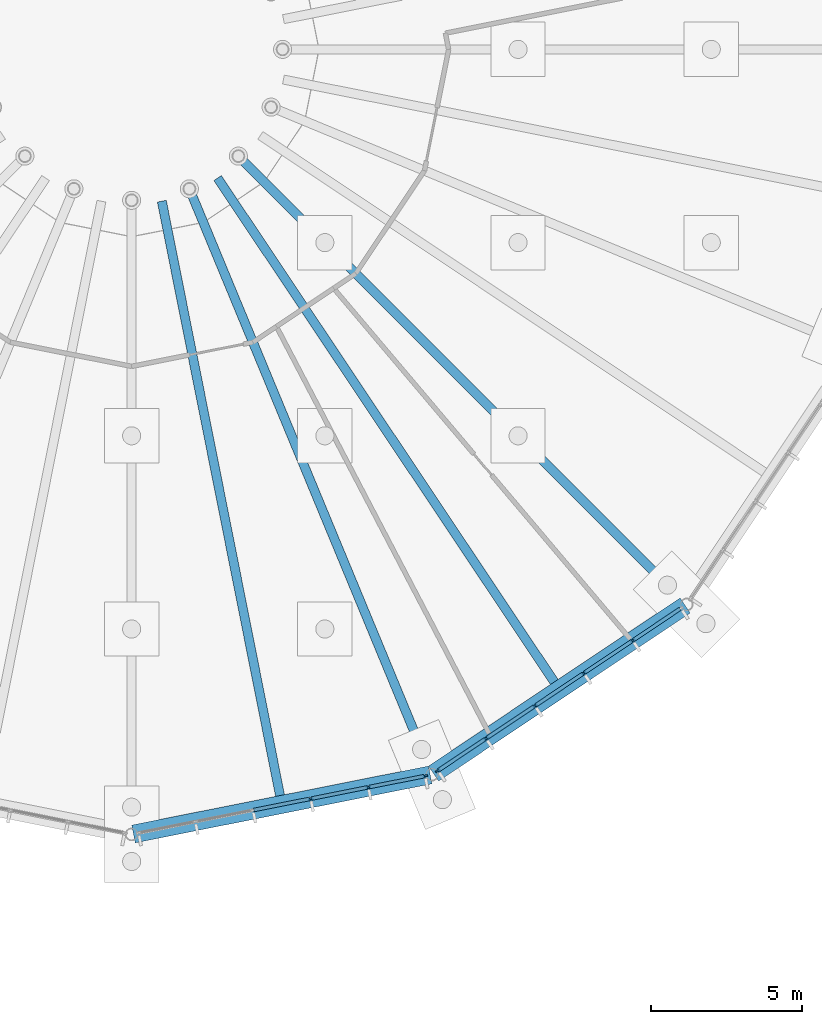
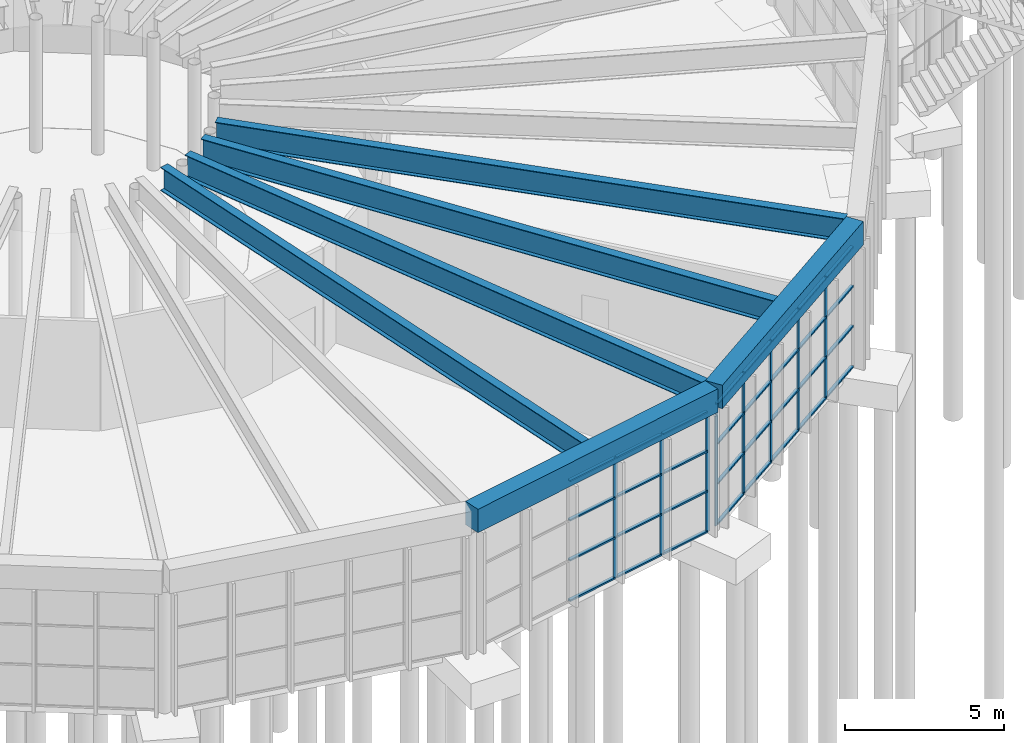
# One storey, part 90 of 226: 40 members, 6 beams, 2 elements without a shape of their own.
"""IFC4 building model written with IfcOpenShell, lengths in metres."""

from ifc_helpers import new_model, si_unit, direction, frame, origin, origin_2d, place, context, subcontext, project, spatial, rectangle, i_section, extrude, material, material_profile, profile_set, type_object, element, aggregate, save


model = new_model("IFC4")

# Units and contexts
model_context = context("Model", 3, precision=1e-05, world=origin(), true_north=direction((0.0, 1.0)))
body_context = subcontext(model_context, "Body", "Model", "MODEL_VIEW")
ifc_project = project(units=[si_unit("LENGTHUNIT", "METRE"), si_unit("AREAUNIT", "SQUARE_METRE"), si_unit("VOLUMEUNIT", "CUBIC_METRE"), si_unit("PLANEANGLEUNIT", "RADIAN"), si_unit("MASSUNIT", "GRAM", prefix="KILO")], contexts=[model_context])

# Site, building, storey
site_placement = place(None, origin())
site = spatial("IfcSite", under=ifc_project, at=site_placement, CompositionType="ELEMENT")
building_placement = place(site_placement, origin())
building = spatial("IfcBuilding", under=site, at=building_placement, Name="Ceibo Conservatory and Research Tower", CompositionType="ELEMENT")
storey_placement = place(building_placement, origin())
storey = spatial("IfcBuildingStorey", under=building, at=storey_placement, Name="L00", CompositionType="ELEMENT", Elevation=0.0)

# Curtain wall, members
ifc_material_1 = material(Name="Aluminium and glass", Category="aluminium")
curtain_wall_type = type_object("IfcCurtainWallType", Name="Pavilion curtain wall", PredefinedType="NOTDEFINED", material=ifc_material_1)
curtain_wall_1_placement = place(storey_placement, origin())
curtain_wall_1 = element("IfcCurtainWall", 1, at=curtain_wall_1_placement, inside=storey, type_object=curtain_wall_type, Name="Pavilion curtain wall VC-CW13", PredefinedType="NOTDEFINED")
ifc_material_2 = material(Name="Aluminium", Category="aluminium")
ifc_material_profile_1 = material_profile(ifc_material_2, rectangle(XDim=0.06005859375, YDim=0.159912109375, at=origin_2d()), Name="AL 60x160")
ifc_profile_set_1 = profile_set([ifc_material_profile_1], Name="Aluminium")
member_type_1 = type_object("IfcMemberType", Name="Pavilion mullion 60x160", PredefinedType="MULLION", material=ifc_profile_set_1)
member_1_placement = place(storey_placement, frame((173.929931640625, 11.179443359375, 0.0), z_axis=(0.0, 0.0, 1.0), x_axis=(-0.195090311899, 0.980785282416, 0.0)))
member_1 = element("IfcMember", 2, at=member_1_placement, type_object=member_type_1, Name="VC-CW13 mullion 4", PredefinedType="MULLION", context=body_context, shape_type="SweptSolid", body=[
    extrude(rectangle(XDim=0.06005859375, YDim=0.159912109375, at=origin_2d()), origin(), (0.0, 0.0, 1.0), 4.64892578125),
])
member_2_placement = place(storey_placement, frame((175.84033203125, 11.5595703125, 0.0), z_axis=(0.0, 0.0, 1.0), x_axis=(-0.195090311899, 0.980785282416, 0.0)))
member_2 = element("IfcMember", 3, at=member_2_placement, type_object=member_type_1, Name="VC-CW13 mullion 5", PredefinedType="MULLION", context=body_context, shape_type="SweptSolid", body=[
    extrude(rectangle(XDim=0.06005859375, YDim=0.159912109375, at=origin_2d()), origin(), (0.0, 0.0, 1.0), 4.64892578125),
])
member_3_placement = place(storey_placement, frame((177.720947265625, 11.93359375, 0.0), z_axis=(0.0, 0.0, 1.0), x_axis=(-0.195090311899, 0.980785282416, 0.0)))
member_3 = element("IfcMember", 4, at=member_3_placement, type_object=member_type_1, Name="VC-CW13 mullion 6", PredefinedType="MULLION", context=body_context, shape_type="SweptSolid", body=[
    extrude(rectangle(XDim=0.06005859375, YDim=0.159912109375, at=origin_2d()), origin(), (0.0, 0.0, 1.0), 4.64892578125),
])

curtain_wall_2_placement = place(storey_placement, origin())
curtain_wall_2 = element("IfcCurtainWall", 5, at=curtain_wall_2_placement, inside=storey, type_object=curtain_wall_type, Name="Pavilion curtain wall VC-CW14", PredefinedType="NOTDEFINED")
member_4_placement = place(storey_placement, frame((178.1435546875, 12.108642578125, 0.0), z_axis=(0.0, 0.0, 1.0), x_axis=(-0.555570267906, 0.831469588992, 0.0)))
member_4 = element("IfcMember", 6, at=member_4_placement, type_object=member_type_1, Name="VC-CW14 mullion 1", PredefinedType="MULLION", context=body_context, shape_type="SweptSolid", body=[
    extrude(rectangle(XDim=0.06005859375, YDim=0.159912109375, at=origin_2d()), origin(), (0.0, 0.0, 1.0), 4.64892578125),
])
member_5_placement = place(storey_placement, frame((179.738037109375, 13.174072265625, 0.0), z_axis=(0.0, 0.0, 1.0), x_axis=(-0.555570267906, 0.831469588992, 0.0)))
member_5 = element("IfcMember", 7, at=member_5_placement, type_object=member_type_1, Name="VC-CW14 mullion 2", PredefinedType="MULLION", context=body_context, shape_type="SweptSolid", body=[
    extrude(rectangle(XDim=0.06005859375, YDim=0.159912109375, at=origin_2d()), origin(), (0.0, 0.0, 1.0), 4.64892578125),
])
member_6_placement = place(storey_placement, frame((181.357666015625, 14.256103515625, 0.0), z_axis=(0.0, 0.0, 1.0), x_axis=(-0.555570267906, 0.831469588992, 0.0)))
member_6 = element("IfcMember", 8, at=member_6_placement, type_object=member_type_1, Name="VC-CW14 mullion 3", PredefinedType="MULLION", context=body_context, shape_type="SweptSolid", body=[
    extrude(rectangle(XDim=0.06005859375, YDim=0.159912109375, at=origin_2d()), origin(), (0.0, 0.0, 1.0), 4.64892578125),
])
member_7_placement = place(storey_placement, frame((182.97705078125, 15.338134765625, 0.0), z_axis=(0.0, 0.0, 1.0), x_axis=(-0.555570267906, 0.831469588992, 0.0)))
member_7 = element("IfcMember", 9, at=member_7_placement, type_object=member_type_1, Name="VC-CW14 mullion 4", PredefinedType="MULLION", context=body_context, shape_type="SweptSolid", body=[
    extrude(rectangle(XDim=0.06005859375, YDim=0.159912109375, at=origin_2d()), origin(), (0.0, 0.0, 1.0), 4.64892578125),
])
member_8_placement = place(storey_placement, frame((184.596435546875, 16.420166015625, 0.0), z_axis=(0.0, 0.0, 1.0), x_axis=(-0.555570267906, 0.831469588992, 0.0)))
member_8 = element("IfcMember", 10, at=member_8_placement, type_object=member_type_1, Name="VC-CW14 mullion 5", PredefinedType="MULLION", context=body_context, shape_type="SweptSolid", body=[
    extrude(rectangle(XDim=0.06005859375, YDim=0.159912109375, at=origin_2d()), origin(), (0.0, 0.0, 1.0), 4.64892578125),
])

# Member
ifc_material_profile_2 = material_profile(ifc_material_2, rectangle(XDim=0.1201171875, YDim=0.06005859375, at=origin_2d()), Name="AL 60x120")
ifc_profile_set_2 = profile_set([ifc_material_profile_2], Name="Aluminium")
member_type_2 = type_object("IfcMemberType", Name="Pavilion transom 60x120", PredefinedType="USERDEFINED", material=ifc_profile_set_2)
member_9_placement = place(storey_placement, frame((172.049072265625, 10.805419921875, 0.030029296875), z_axis=(0.980798922376, 0.195021726654, 0.0), x_axis=(-0.195021726654, 0.980798922376, 0.0)))
member_9 = element("IfcMember", 11, at=member_9_placement, type_object=member_type_2, Name="VC-CW13 transom 3.1", ObjectType="TRANSOM", PredefinedType="USERDEFINED", context=body_context, shape_type="SweptSolid", body=[
    extrude(rectangle(XDim=0.1201171875, YDim=0.06005859375, at=origin_2d()), origin(), (0.0, 0.0, 1.0), 1.8876953125),
])

member_10_placement = place(storey_placement, frame((172.049072265625, 10.805419921875, 1.5810546875), z_axis=(0.980798922376, 0.195021726654, 0.0), x_axis=(-0.195021726654, 0.980798922376, 0.0)))
member_10 = element("IfcMember", 12, at=member_10_placement, type_object=member_type_2, Name="VC-CW13 transom 3.2", ObjectType="TRANSOM", PredefinedType="USERDEFINED", context=body_context, shape_type="SweptSolid", body=[
    extrude(rectangle(XDim=0.1201171875, YDim=0.06005859375, at=origin_2d()), origin(), (0.0, 0.0, 1.0), 1.8876953125),
])

member_11_placement = place(storey_placement, frame((172.049072265625, 10.805419921875, 3.114990234375), z_axis=(0.980798922376, 0.195021726654, 0.0), x_axis=(-0.195021726654, 0.980798922376, 0.0)))
member_11 = element("IfcMember", 13, at=member_11_placement, type_object=member_type_2, Name="VC-CW13 transom 3.3", ObjectType="TRANSOM", PredefinedType="USERDEFINED", context=body_context, shape_type="SweptSolid", body=[
    extrude(rectangle(XDim=0.1201171875, YDim=0.06005859375, at=origin_2d()), origin(), (0.0, 0.0, 1.0), 1.8876953125),
])

member_12_placement = place(storey_placement, frame((172.049072265625, 10.805419921875, 4.618896484375), z_axis=(0.980798922376, 0.195021726654, 0.0), x_axis=(-0.195021726654, 0.980798922376, 0.0)))
member_12 = element("IfcMember", 14, at=member_12_placement, type_object=member_type_2, Name="VC-CW13 transom 3.4", ObjectType="TRANSOM", PredefinedType="USERDEFINED", context=body_context, shape_type="SweptSolid", body=[
    extrude(rectangle(XDim=0.1201171875, YDim=0.06005859375, at=origin_2d()), origin(), (0.0, 0.0, 1.0), 1.8876953125),
])

member_13_placement = place(storey_placement, frame((173.95947265625, 11.185302734375, 0.030029296875), z_axis=(0.980769252487, 0.195170882501, 0.0), x_axis=(-0.195170882501, 0.980769252487, 0.0)))
member_13 = element("IfcMember", 15, at=member_13_placement, type_object=member_type_2, Name="VC-CW13 transom 4.1", ObjectType="TRANSOM", PredefinedType="USERDEFINED", context=body_context, shape_type="SweptSolid", body=[
    extrude(rectangle(XDim=0.1201171875, YDim=0.06005859375, at=origin_2d()), origin(), (0.0, 0.0, 1.0), 1.8876953125),
])

member_14_placement = place(storey_placement, frame((173.95947265625, 11.185302734375, 1.5810546875), z_axis=(0.980769252487, 0.195170882501, 0.0), x_axis=(-0.195170882501, 0.980769252487, 0.0)))
member_14 = element("IfcMember", 16, at=member_14_placement, type_object=member_type_2, Name="VC-CW13 transom 4.2", ObjectType="TRANSOM", PredefinedType="USERDEFINED", context=body_context, shape_type="SweptSolid", body=[
    extrude(rectangle(XDim=0.1201171875, YDim=0.06005859375, at=origin_2d()), origin(), (0.0, 0.0, 1.0), 1.8876953125),
])

member_15_placement = place(storey_placement, frame((173.95947265625, 11.185302734375, 3.114990234375), z_axis=(0.980769252487, 0.195170882501, 0.0), x_axis=(-0.195170882501, 0.980769252487, 0.0)))
member_15 = element("IfcMember", 17, at=member_15_placement, type_object=member_type_2, Name="VC-CW13 transom 4.3", ObjectType="TRANSOM", PredefinedType="USERDEFINED", context=body_context, shape_type="SweptSolid", body=[
    extrude(rectangle(XDim=0.1201171875, YDim=0.06005859375, at=origin_2d()), origin(), (0.0, 0.0, 1.0), 1.8876953125),
])

member_16_placement = place(storey_placement, frame((173.95947265625, 11.185302734375, 4.618896484375), z_axis=(0.980769252487, 0.195170882501, 0.0), x_axis=(-0.195170882501, 0.980769252487, 0.0)))
member_16 = element("IfcMember", 18, at=member_16_placement, type_object=member_type_2, Name="VC-CW13 transom 4.4", ObjectType="TRANSOM", PredefinedType="USERDEFINED", context=body_context, shape_type="SweptSolid", body=[
    extrude(rectangle(XDim=0.1201171875, YDim=0.06005859375, at=origin_2d()), origin(), (0.0, 0.0, 1.0), 1.8876953125),
])

member_17_placement = place(storey_placement, frame((175.86962890625, 11.5654296875, 0.030029296875), z_axis=(0.980797424149, 0.195029261348, 0.0), x_axis=(-0.195029261348, 0.980797424149, 0.0)))
member_17 = element("IfcMember", 19, at=member_17_placement, type_object=member_type_2, Name="VC-CW13 transom 5.1", ObjectType="TRANSOM", PredefinedType="USERDEFINED", context=body_context, shape_type="SweptSolid", body=[
    extrude(rectangle(XDim=0.1201171875, YDim=0.06005859375, at=origin_2d()), origin(), (0.0, 0.0, 1.0), 1.857666015625),
])

member_18_placement = place(storey_placement, frame((175.86962890625, 11.5654296875, 1.5810546875), z_axis=(0.980797424149, 0.195029261348, 0.0), x_axis=(-0.195029261348, 0.980797424149, 0.0)))
member_18 = element("IfcMember", 20, at=member_18_placement, type_object=member_type_2, Name="VC-CW13 transom 5.2", ObjectType="TRANSOM", PredefinedType="USERDEFINED", context=body_context, shape_type="SweptSolid", body=[
    extrude(rectangle(XDim=0.1201171875, YDim=0.06005859375, at=origin_2d()), origin(), (0.0, 0.0, 1.0), 1.857666015625),
])

member_19_placement = place(storey_placement, frame((175.86962890625, 11.5654296875, 3.114990234375), z_axis=(0.980797424149, 0.195029261348, 0.0), x_axis=(-0.195029261348, 0.980797424149, 0.0)))
member_19 = element("IfcMember", 21, at=member_19_placement, type_object=member_type_2, Name="VC-CW13 transom 5.3", ObjectType="TRANSOM", PredefinedType="USERDEFINED", context=body_context, shape_type="SweptSolid", body=[
    extrude(rectangle(XDim=0.1201171875, YDim=0.06005859375, at=origin_2d()), origin(), (0.0, 0.0, 1.0), 1.857666015625),
])

member_20_placement = place(storey_placement, frame((175.86962890625, 11.5654296875, 4.618896484375), z_axis=(0.980797424149, 0.195029261348, 0.0), x_axis=(-0.195029261348, 0.980797424149, 0.0)))
member_20 = element("IfcMember", 22, at=member_20_placement, type_object=member_type_2, Name="VC-CW13 transom 5.4", ObjectType="TRANSOM", PredefinedType="USERDEFINED", context=body_context, shape_type="SweptSolid", body=[
    extrude(rectangle(XDim=0.1201171875, YDim=0.06005859375, at=origin_2d()), origin(), (0.0, 0.0, 1.0), 1.857666015625),
])

aggregate(curtain_wall_1, [member_1, member_2, member_3, member_9, member_10, member_11, member_12, member_13, member_14, member_15, member_16, member_17, member_18, member_19, member_20])

member_21_placement = place(storey_placement, frame((178.168701171875, 12.125244140625, 0.030029296875), z_axis=(0.831402706574, 0.555670351469, 0.0), x_axis=(-0.555670351469, 0.831402706574, 0.0)))
member_21 = element("IfcMember", 23, at=member_21_placement, type_object=member_type_2, Name="VC-CW14 transom 1.1", ObjectType="TRANSOM", PredefinedType="USERDEFINED", context=body_context, shape_type="SweptSolid", body=[
    extrude(rectangle(XDim=0.1201171875, YDim=0.06005859375, at=origin_2d()), origin(), (0.0, 0.0, 1.0), 1.857666015625),
])

member_22_placement = place(storey_placement, frame((178.168701171875, 12.125244140625, 1.5810546875), z_axis=(0.831402706574, 0.555670351469, 0.0), x_axis=(-0.555670351469, 0.831402706574, 0.0)))
member_22 = element("IfcMember", 24, at=member_22_placement, type_object=member_type_2, Name="VC-CW14 transom 1.2", ObjectType="TRANSOM", PredefinedType="USERDEFINED", context=body_context, shape_type="SweptSolid", body=[
    extrude(rectangle(XDim=0.1201171875, YDim=0.06005859375, at=origin_2d()), origin(), (0.0, 0.0, 1.0), 1.857666015625),
])

member_23_placement = place(storey_placement, frame((178.168701171875, 12.125244140625, 3.114990234375), z_axis=(0.831402706574, 0.555670351469, 0.0), x_axis=(-0.555670351469, 0.831402706574, 0.0)))
member_23 = element("IfcMember", 25, at=member_23_placement, type_object=member_type_2, Name="VC-CW14 transom 1.3", ObjectType="TRANSOM", PredefinedType="USERDEFINED", context=body_context, shape_type="SweptSolid", body=[
    extrude(rectangle(XDim=0.1201171875, YDim=0.06005859375, at=origin_2d()), origin(), (0.0, 0.0, 1.0), 1.857666015625),
])

member_24_placement = place(storey_placement, frame((178.168701171875, 12.125244140625, 4.618896484375), z_axis=(0.831402706574, 0.555670351469, 0.0), x_axis=(-0.555670351469, 0.831402706574, 0.0)))
member_24 = element("IfcMember", 26, at=member_24_placement, type_object=member_type_2, Name="VC-CW14 transom 1.4", ObjectType="TRANSOM", PredefinedType="USERDEFINED", context=body_context, shape_type="SweptSolid", body=[
    extrude(rectangle(XDim=0.1201171875, YDim=0.06005859375, at=origin_2d()), origin(), (0.0, 0.0, 1.0), 1.857666015625),
])

member_25_placement = place(storey_placement, frame((179.76318359375, 13.190673828125, 0.030029296875), z_axis=(0.831412983501, 0.555654974661, 0.0), x_axis=(-0.555654974661, 0.831412983501, 0.0)))
member_25 = element("IfcMember", 27, at=member_25_placement, type_object=member_type_2, Name="VC-CW14 transom 2.1", ObjectType="TRANSOM", PredefinedType="USERDEFINED", context=body_context, shape_type="SweptSolid", body=[
    extrude(rectangle(XDim=0.1201171875, YDim=0.06005859375, at=origin_2d()), origin(), (0.0, 0.0, 1.0), 1.887451171875),
])

member_26_placement = place(storey_placement, frame((179.76318359375, 13.190673828125, 1.5810546875), z_axis=(0.831412983501, 0.555654974661, 0.0), x_axis=(-0.555654974661, 0.831412983501, 0.0)))
member_26 = element("IfcMember", 28, at=member_26_placement, type_object=member_type_2, Name="VC-CW14 transom 2.2", ObjectType="TRANSOM", PredefinedType="USERDEFINED", context=body_context, shape_type="SweptSolid", body=[
    extrude(rectangle(XDim=0.1201171875, YDim=0.06005859375, at=origin_2d()), origin(), (0.0, 0.0, 1.0), 1.887451171875),
])

member_27_placement = place(storey_placement, frame((179.76318359375, 13.190673828125, 3.114990234375), z_axis=(0.831412983501, 0.555654974661, 0.0), x_axis=(-0.555654974661, 0.831412983501, 0.0)))
member_27 = element("IfcMember", 29, at=member_27_placement, type_object=member_type_2, Name="VC-CW14 transom 2.3", ObjectType="TRANSOM", PredefinedType="USERDEFINED", context=body_context, shape_type="SweptSolid", body=[
    extrude(rectangle(XDim=0.1201171875, YDim=0.06005859375, at=origin_2d()), origin(), (0.0, 0.0, 1.0), 1.887451171875),
])

member_28_placement = place(storey_placement, frame((179.76318359375, 13.190673828125, 4.618896484375), z_axis=(0.831412983501, 0.555654974661, 0.0), x_axis=(-0.555654974661, 0.831412983501, 0.0)))
member_28 = element("IfcMember", 30, at=member_28_placement, type_object=member_type_2, Name="VC-CW14 transom 2.4", ObjectType="TRANSOM", PredefinedType="USERDEFINED", context=body_context, shape_type="SweptSolid", body=[
    extrude(rectangle(XDim=0.1201171875, YDim=0.06005859375, at=origin_2d()), origin(), (0.0, 0.0, 1.0), 1.887451171875),
])

member_29_placement = place(storey_placement, frame((181.382568359375, 14.272705078125, 0.030029296875), z_axis=(0.831452911845, 0.555595226207, 0.0), x_axis=(-0.555595226207, 0.831452911845, 0.0)))
member_29 = element("IfcMember", 31, at=member_29_placement, type_object=member_type_2, Name="VC-CW14 transom 3.1", ObjectType="TRANSOM", PredefinedType="USERDEFINED", context=body_context, shape_type="SweptSolid", body=[
    extrude(rectangle(XDim=0.1201171875, YDim=0.06005859375, at=origin_2d()), origin(), (0.0, 0.0, 1.0), 1.8876953125),
])

member_30_placement = place(storey_placement, frame((181.382568359375, 14.272705078125, 1.5810546875), z_axis=(0.831452911845, 0.555595226207, 0.0), x_axis=(-0.555595226207, 0.831452911845, 0.0)))
member_30 = element("IfcMember", 32, at=member_30_placement, type_object=member_type_2, Name="VC-CW14 transom 3.2", ObjectType="TRANSOM", PredefinedType="USERDEFINED", context=body_context, shape_type="SweptSolid", body=[
    extrude(rectangle(XDim=0.1201171875, YDim=0.06005859375, at=origin_2d()), origin(), (0.0, 0.0, 1.0), 1.8876953125),
])

member_31_placement = place(storey_placement, frame((181.382568359375, 14.272705078125, 3.114990234375), z_axis=(0.831452911845, 0.555595226207, 0.0), x_axis=(-0.555595226207, 0.831452911845, 0.0)))
member_31 = element("IfcMember", 33, at=member_31_placement, type_object=member_type_2, Name="VC-CW14 transom 3.3", ObjectType="TRANSOM", PredefinedType="USERDEFINED", context=body_context, shape_type="SweptSolid", body=[
    extrude(rectangle(XDim=0.1201171875, YDim=0.06005859375, at=origin_2d()), origin(), (0.0, 0.0, 1.0), 1.8876953125),
])

member_32_placement = place(storey_placement, frame((181.382568359375, 14.272705078125, 4.618896484375), z_axis=(0.831452911845, 0.555595226207, 0.0), x_axis=(-0.555595226207, 0.831452911845, 0.0)))
member_32 = element("IfcMember", 34, at=member_32_placement, type_object=member_type_2, Name="VC-CW14 transom 3.4", ObjectType="TRANSOM", PredefinedType="USERDEFINED", context=body_context, shape_type="SweptSolid", body=[
    extrude(rectangle(XDim=0.1201171875, YDim=0.06005859375, at=origin_2d()), origin(), (0.0, 0.0, 1.0), 1.8876953125),
])

member_33_placement = place(storey_placement, frame((183.001953125, 15.35498046875, 0.030029296875), z_axis=(0.831512654794, 0.555505809977, 0.0), x_axis=(-0.555505809977, 0.831512654794, 0.0)))
member_33 = element("IfcMember", 35, at=member_33_placement, type_object=member_type_2, Name="VC-CW14 transom 4.1", ObjectType="TRANSOM", PredefinedType="USERDEFINED", context=body_context, shape_type="SweptSolid", body=[
    extrude(rectangle(XDim=0.1201171875, YDim=0.06005859375, at=origin_2d()), origin(), (0.0, 0.0, 1.0), 1.8876953125),
])

member_34_placement = place(storey_placement, frame((183.001953125, 15.35498046875, 1.5810546875), z_axis=(0.831512654794, 0.555505809977, 0.0), x_axis=(-0.555505809977, 0.831512654794, 0.0)))
member_34 = element("IfcMember", 36, at=member_34_placement, type_object=member_type_2, Name="VC-CW14 transom 4.2", ObjectType="TRANSOM", PredefinedType="USERDEFINED", context=body_context, shape_type="SweptSolid", body=[
    extrude(rectangle(XDim=0.1201171875, YDim=0.06005859375, at=origin_2d()), origin(), (0.0, 0.0, 1.0), 1.8876953125),
])

member_35_placement = place(storey_placement, frame((183.001953125, 15.35498046875, 3.114990234375), z_axis=(0.831512654794, 0.555505809977, 0.0), x_axis=(-0.555505809977, 0.831512654794, 0.0)))
member_35 = element("IfcMember", 37, at=member_35_placement, type_object=member_type_2, Name="VC-CW14 transom 4.3", ObjectType="TRANSOM", PredefinedType="USERDEFINED", context=body_context, shape_type="SweptSolid", body=[
    extrude(rectangle(XDim=0.1201171875, YDim=0.06005859375, at=origin_2d()), origin(), (0.0, 0.0, 1.0), 1.8876953125),
])

member_36_placement = place(storey_placement, frame((183.001953125, 15.35498046875, 4.618896484375), z_axis=(0.831512654794, 0.555505809977, 0.0), x_axis=(-0.555505809977, 0.831512654794, 0.0)))
member_36 = element("IfcMember", 38, at=member_36_placement, type_object=member_type_2, Name="VC-CW14 transom 4.4", ObjectType="TRANSOM", PredefinedType="USERDEFINED", context=body_context, shape_type="SweptSolid", body=[
    extrude(rectangle(XDim=0.1201171875, YDim=0.06005859375, at=origin_2d()), origin(), (0.0, 0.0, 1.0), 1.8876953125),
])

member_37_placement = place(storey_placement, frame((184.621337890625, 16.43701171875, 0.030029296875), z_axis=(0.831503986606, 0.555518784793, 0.0), x_axis=(-0.555518784793, 0.831503986606, 0.0)))
member_37 = element("IfcMember", 39, at=member_37_placement, type_object=member_type_2, Name="VC-CW14 transom 5.1", ObjectType="TRANSOM", PredefinedType="USERDEFINED", context=body_context, shape_type="SweptSolid", body=[
    extrude(rectangle(XDim=0.1201171875, YDim=0.06005859375, at=origin_2d()), origin(), (0.0, 0.0, 1.0), 1.857666015625),
])

member_38_placement = place(storey_placement, frame((184.621337890625, 16.43701171875, 1.5810546875), z_axis=(0.831503986606, 0.555518784793, 0.0), x_axis=(-0.555518784793, 0.831503986606, 0.0)))
member_38 = element("IfcMember", 40, at=member_38_placement, type_object=member_type_2, Name="VC-CW14 transom 5.2", ObjectType="TRANSOM", PredefinedType="USERDEFINED", context=body_context, shape_type="SweptSolid", body=[
    extrude(rectangle(XDim=0.1201171875, YDim=0.06005859375, at=origin_2d()), origin(), (0.0, 0.0, 1.0), 1.857666015625),
])

member_39_placement = place(storey_placement, frame((184.621337890625, 16.43701171875, 3.114990234375), z_axis=(0.831503986606, 0.555518784793, 0.0), x_axis=(-0.555518784793, 0.831503986606, 0.0)))
member_39 = element("IfcMember", 41, at=member_39_placement, type_object=member_type_2, Name="VC-CW14 transom 5.3", ObjectType="TRANSOM", PredefinedType="USERDEFINED", context=body_context, shape_type="SweptSolid", body=[
    extrude(rectangle(XDim=0.1201171875, YDim=0.06005859375, at=origin_2d()), origin(), (0.0, 0.0, 1.0), 1.857666015625),
])

member_40_placement = place(storey_placement, frame((184.621337890625, 16.43701171875, 4.618896484375), z_axis=(0.831503986606, 0.555518784793, 0.0), x_axis=(-0.555518784793, 0.831503986606, 0.0)))
member_40 = element("IfcMember", 42, at=member_40_placement, type_object=member_type_2, Name="VC-CW14 transom 5.4", ObjectType="TRANSOM", PredefinedType="USERDEFINED", context=body_context, shape_type="SweptSolid", body=[
    extrude(rectangle(XDim=0.1201171875, YDim=0.06005859375, at=origin_2d()), origin(), (0.0, 0.0, 1.0), 1.857666015625),
])

aggregate(curtain_wall_2, [member_4, member_5, member_6, member_7, member_8, member_21, member_22, member_23, member_24, member_25, member_26, member_27, member_28, member_29, member_30, member_31, member_32, member_33, member_34, member_35, member_36, member_37, member_38, member_39, member_40])

# Beams
ifc_material_3 = material(Name="Concrete C35/45", Category="concrete")
ifc_material_profile_3 = material_profile(ifc_material_3, rectangle(XDim=0.60009765625, YDim=0.89990234375, at=origin_2d()), Name="RC 600x900")
ifc_profile_set_3 = profile_set([ifc_material_profile_3], Name="Concrete C35/45")
beam_type_1 = type_object("IfcBeamType", Name="RC ring beam 600x900", PredefinedType="BEAM", material=ifc_profile_set_3)
beam_1_placement = place(storey_placement, frame((168.060546875, 10.011962890625, 5.09912109375), z_axis=(0.980784413745, 0.195094678952, 0.0), x_axis=(-0.195094678952, 0.980784413745, 0.0)))
element("IfcBeam", 43, at=beam_1_placement, inside=storey, type_object=beam_type_1, Name="Pavilion ring beam VC-RB13", PredefinedType="BEAM", context=body_context, shape_type="SweptSolid", body=[
    extrude(rectangle(XDim=0.60009765625, YDim=0.89990234375, at=origin_2d()), origin(), (0.0, 0.0, 1.0), 10.021240234375),
])
beam_2_placement = place(storey_placement, frame((178.0009765625, 12.013427734375, 5.09912109375), z_axis=(0.831468902331, 0.555571295566, 0.0), x_axis=(-0.555571295566, 0.831468902331, 0.0)))
element("IfcBeam", 44, at=beam_2_placement, inside=storey, type_object=beam_type_1, Name="Pavilion ring beam VC-RB14", PredefinedType="BEAM", context=body_context, shape_type="SweptSolid", body=[
    extrude(rectangle(XDim=0.60009765625, YDim=0.89990234375, at=origin_2d()), origin(), (0.0, 0.0, 1.0), 10.021484375),
])
ifc_material_4 = material(Name="Steel S355J2", Category="steel")
ifc_material_profile_4 = material_profile(ifc_material_4, i_section(OverallWidth=0.300048828125, OverallDepth=0.89990234375, WebThickness=0.011962890625, FlangeThickness=0.02490234375, at=origin_2d()), Name="PG 900x300")
ifc_profile_set_4 = profile_set([ifc_material_profile_4], Name="Steel S355J2")
beam_type_2 = type_object("IfcBeamType", Name="pavilion radial roof beam PG 900x300", PredefinedType="BEAM", material=ifc_profile_set_4)
beam_3_placement = place(storey_placement, frame((169.000244140625, 30.970947265625, 5.09912109375), z_axis=(0.195089472351, -0.980785449412, 0.0), x_axis=(0.980785449412, 0.195089472351, 0.0)))
element("IfcBeam", 45, at=beam_3_placement, inside=storey, type_object=beam_type_2, Name="Radial roof beam VC-RR26", PredefinedType="BEAM", context=body_context, shape_type="SweptSolid", body=[
    extrude(i_section(OverallWidth=0.300048828125, OverallDepth=0.89990234375, WebThickness=0.011962890625, FlangeThickness=0.02490234375, at=origin_2d()), origin(), (0.0, 0.0, 1.0), 20.077880859375),
])
beam_4_placement = place(storey_placement, frame((169.9892578125, 31.197509765625, 5.09912109375), z_axis=(0.38268660204, -0.923878219582, 0.0), x_axis=(0.923878219582, 0.38268660204, 0.0)))
element("IfcBeam", 46, at=beam_4_placement, inside=storey, type_object=beam_type_2, Name="Radial roof beam VC-RR27", PredefinedType="BEAM", context=body_context, shape_type="SweptSolid", body=[
    extrude(i_section(OverallWidth=0.300048828125, OverallDepth=0.89990234375, WebThickness=0.011962890625, FlangeThickness=0.02490234375, at=origin_2d()), origin(), (0.0, 0.0, 1.0), 20.5009765625),
])
beam_5_placement = place(storey_placement, frame((170.8486328125, 31.736572265625, 5.09912109375), z_axis=(0.555575385494, -0.831466169506, 0.0), x_axis=(0.831466169506, 0.555575385494, 0.0)))
element("IfcBeam", 47, at=beam_5_placement, inside=storey, type_object=beam_type_2, Name="Radial roof beam VC-RR28", PredefinedType="BEAM", context=body_context, shape_type="SweptSolid", body=[
    extrude(i_section(OverallWidth=0.300048828125, OverallDepth=0.89990234375, WebThickness=0.011962890625, FlangeThickness=0.02490234375, at=origin_2d()), origin(), (0.0, 0.0, 1.0), 20.077880859375),
])
beam_6_placement = place(storey_placement, frame((171.67578125, 32.32421875, 5.09912109375), z_axis=(0.707106781187, -0.707106781187, 0.0), x_axis=(0.707106781187, 0.707106781187, 0.0)))
element("IfcBeam", 48, at=beam_6_placement, inside=storey, type_object=beam_type_2, Name="Radial roof beam VC-RR29", PredefinedType="BEAM", context=body_context, shape_type="SweptSolid", body=[
    extrude(i_section(OverallWidth=0.300048828125, OverallDepth=0.89990234375, WebThickness=0.011962890625, FlangeThickness=0.02490234375, at=origin_2d()), origin(), (0.0, 0.0, 1.0), 20.5009765625),
])

save(model, "model.ifc")
